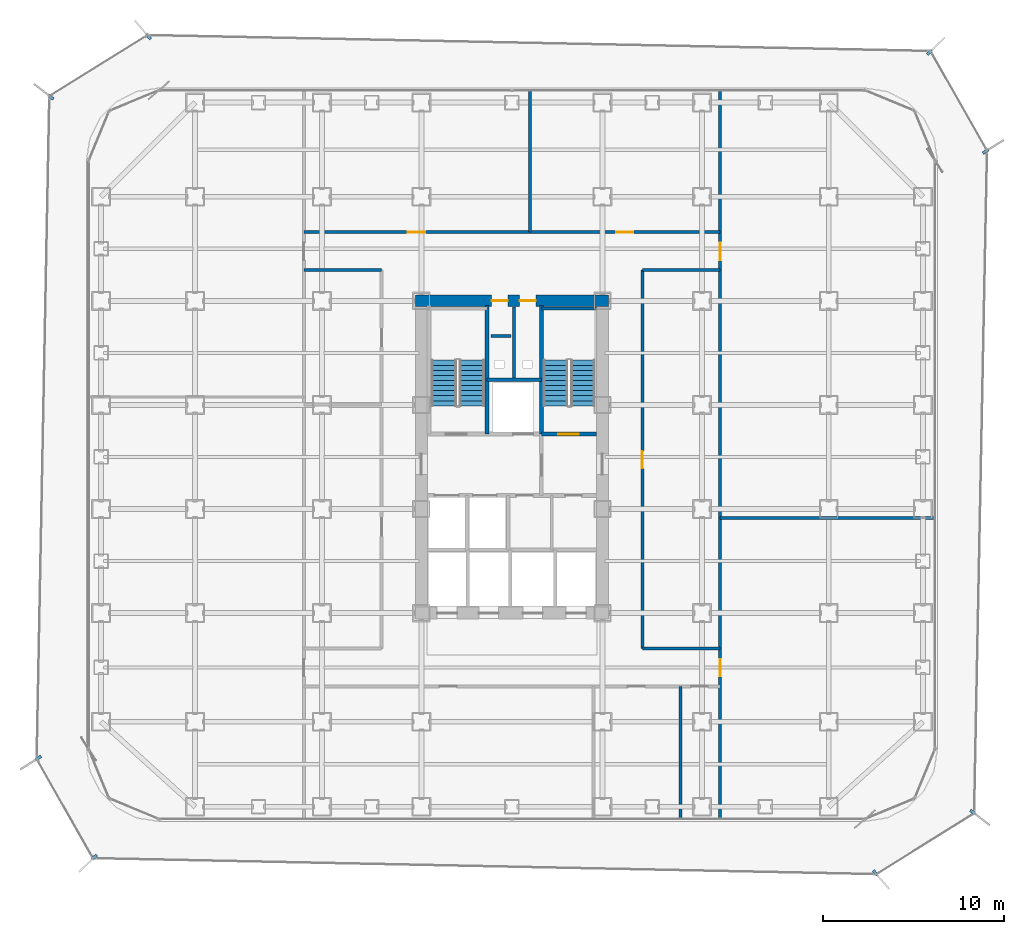
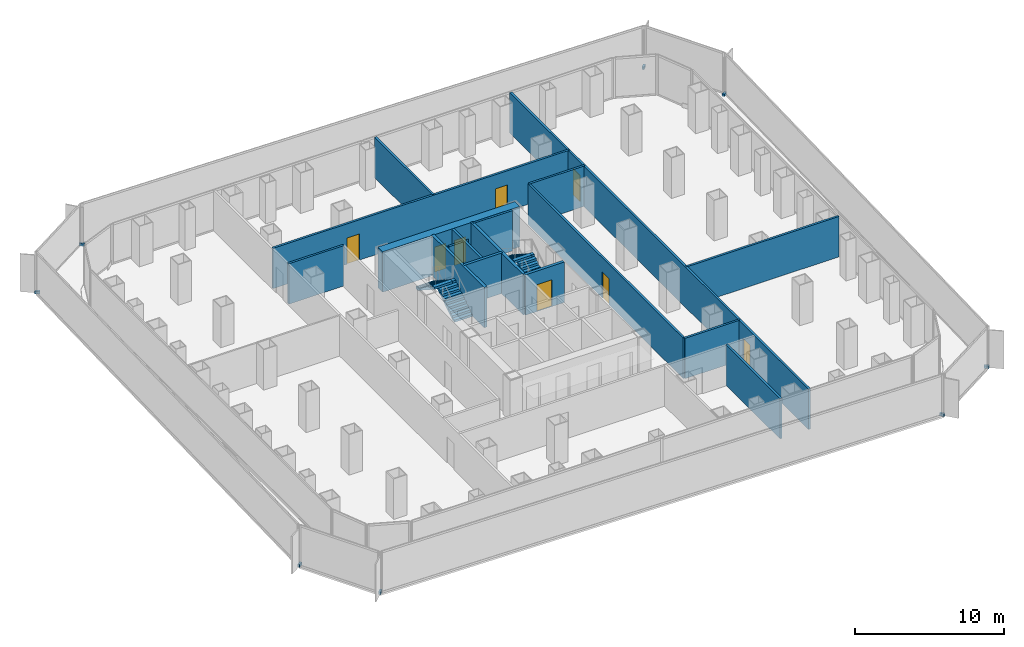
# One storey, part 18 of 21: 17 walls, 8 discrete accessories, 8 doors, 4 stair flights, 8 openings, 2 elements without a shape of their own.
"""IFC4 building model written with IfcOpenShell, lengths in metres."""

from ifc_helpers import new_model, si_unit, direction, frame, frame_2d, origin, origin_2d, place, context, subcontext, project, spatial, polyline, rectangle, outline, extrude, source, transform, mapped, material, layer, layer_set, type_object, element, fill, aggregate, save


model = new_model("IFC4")

# Units and contexts
model_context = context("Model", 3, precision=1e-05, world=origin(), true_north=direction((0.0, 1.0)))
body_context = subcontext(model_context, "Body", "Model", "MODEL_VIEW")
ifc_project = project(units=[si_unit("LENGTHUNIT", "METRE"), si_unit("AREAUNIT", "SQUARE_METRE"), si_unit("VOLUMEUNIT", "CUBIC_METRE"), si_unit("PLANEANGLEUNIT", "RADIAN"), si_unit("MASSUNIT", "GRAM", prefix="KILO")], contexts=[model_context])

# Site, building, storey
site_placement = place(None, origin())
site = spatial("IfcSite", under=ifc_project, at=site_placement, CompositionType="ELEMENT")
building_placement = place(site_placement, origin())
building = spatial("IfcBuilding", under=site, at=building_placement, Name="Kolveth Station Tower", CompositionType="ELEMENT")
storey_placement = place(building_placement, frame((0.0, 0.0, 62.10009765625)))
storey = spatial("IfcBuildingStorey", under=building, at=storey_placement, Name="L16", CompositionType="ELEMENT", Elevation=62.10009765625)

# Wall, openings, doors
ifc_material_1 = material(Name="Concrete C60/75", Category="concrete")
ifc_layer_1 = layer(ifc_material_1, 0.64990234375)
ifc_layer_set_1 = layer_set([ifc_layer_1], Name="Concrete C60/75")
wall_type_1 = type_object("IfcWallType", Name="Wall_CW-650", PredefinedType="SHEAR", material=ifc_layer_set_1)
wall_1_placement = place(storey_placement, frame((18.175048828125, 28.75, 0.0), z_axis=(0.0, 0.0, 1.0), x_axis=(1.0, 0.0, 0.0)))
wall_1 = element("IfcWall", 1, at=wall_1_placement, inside=storey, type_object=wall_type_1, Name="L16 Core RC Shear Wall N", PredefinedType="SHEAR", context=body_context, shape_type="SweptSolid", body=[
    extrude(rectangle(XDim=10.64990234375, YDim=0.64990234375, at=frame_2d((5.324951171875, 0.0))), origin(), (0.0, 0.0, 1.0), 3.31982421875),
])
opening_1_placement = place(wall_1_placement, frame((4.205078125, 0.0, 0.0)))
opening_1 = element("IfcOpeningElement", 2, at=opening_1_placement, cuts=wall_1, Name="Opening RD1", PredefinedType="OPENING", context=body_context, shape_type="SweptSolid", body=[
    extrude(rectangle(XDim=0.89990234375, YDim=2.050048828125, at=frame_2d((0.449951171875, 1.02490234375))), frame((0.0, 0.3349609375, 0.0), z_axis=(0.0, -1.0, 0.0), x_axis=(1.0, 0.0, 0.0)), (0.0, 0.0, 1.0), 0.669921875),
])
opening_2_placement = place(wall_1_placement, frame((5.7451171875, 0.0, 0.0)))
opening_2 = element("IfcOpeningElement", 3, at=opening_2_placement, cuts=wall_1, Name="Opening RD1", PredefinedType="OPENING", context=body_context, shape_type="SweptSolid", body=[
    extrude(rectangle(XDim=0.89990234375, YDim=2.050048828125, at=frame_2d((0.449951171875, 1.02490234375))), frame((0.0, 0.3349609375, 0.0), z_axis=(0.0, -1.0, 0.0), x_axis=(1.0, 0.0, 0.0)), (0.0, 0.0, 1.0), 0.669921875),
])
ifc_material_2 = material(Name="Fire-rated Steel S355 riser access leaf", Category="steel")
door_type_1 = type_object("IfcDoorType", Name="Door_RD1", OperationType="NOTDEFINED", PredefinedType="DOOR", material=ifc_material_2)
door_1_placement = place(opening_1_placement, origin())
door_1 = element("IfcDoor", 4, at=door_1_placement, inside=storey, type_object=door_type_1, Name="L16 Electrical Riser Access Door", OperationType="SINGLE_SWING_LEFT", OverallHeight=2.050048828125, OverallWidth=0.89990234375, PredefinedType="DOOR", context=body_context, shape_type="SweptSolid", body=[
    extrude(rectangle(XDim=0.89990234375, YDim=2.050048828125, at=frame_2d((0.449951171875, 1.02490234375))), frame((0.0, 0.02490234375, 0.0), z_axis=(0.0, -1.0, 0.0), x_axis=(1.0, 0.0, 0.0)), (0.0, 0.0, 1.0), 0.050048828125),
])
fill(opening_1, door_1)
door_2_placement = place(opening_2_placement, origin())
door_2 = element("IfcDoor", 5, at=door_2_placement, inside=storey, type_object=door_type_1, Name="L16 Smoke Duct Access Door", OperationType="SINGLE_SWING_RIGHT", OverallHeight=2.050048828125, OverallWidth=0.89990234375, PredefinedType="DOOR", context=body_context, shape_type="SweptSolid", body=[
    extrude(rectangle(XDim=0.89990234375, YDim=2.050048828125, at=frame_2d((0.449951171875, 1.02490234375))), frame((0.0, 0.02490234375, 0.0), z_axis=(0.0, -1.0, 0.0), x_axis=(1.0, 0.0, 0.0)), (0.0, 0.0, 1.0), 0.050048828125),
])
fill(opening_2, door_2)

# Walls
ifc_material_3 = material(Name="Acoustic double-stud gypsum partition")
ifc_layer_2 = layer(ifc_material_3, 0.1650390625)
ifc_layer_set_2 = layer_set([ifc_layer_2], Name="Acoustic double-stud gypsum partition")
wall_type_2 = type_object("IfcWallType", Name="Wall_IW-165", PredefinedType="PARTITIONING", material=ifc_layer_set_2)
wall_2_placement = place(storey_placement, frame((25.1298828125, 28.3349609375, 0.0), z_axis=(0.0, 0.0, 1.0), x_axis=(1.0, 0.0, 0.0)))
element("IfcWall", 6, at=wall_2_placement, inside=storey, type_object=wall_type_2, Name="L16 Stair Shaft Wall WL-L16-ST2-N", PredefinedType="PARTITIONING", context=body_context, shape_type="SweptSolid", body=[
    extrude(rectangle(XDim=3.03515625, YDim=0.1650390625, at=frame_2d((1.517578125, 0.0))), origin(), (0.0, 0.0, 1.0), 3.31982421875),
])
wall_3_placement = place(storey_placement, frame((23.6201171875, 24.39990234375, 0.0), z_axis=(0.0, 0.0, 1.0), x_axis=(0.0, 1.0, 0.0)))
element("IfcWall", 7, at=wall_3_placement, inside=storey, type_object=wall_type_2, Name="L16 Partition Wall WL-L16-RSR-M", PredefinedType="PARTITIONING", context=body_context, shape_type="SweptSolid", body=[
    extrude(rectangle(XDim=4.01513671875, YDim=0.1650390625, at=frame_2d((2.007568359375, 0.0))), origin(), (0.0, 0.0, 1.0), 3.31982421875),
])

# Wall, openings, doors
wall_4_placement = place(storey_placement, frame((12.0, 32.550048828125, 0.0), z_axis=(0.0, 0.0, 1.0), x_axis=(1.0, 0.0, 0.0)))
wall_4 = element("IfcWall", 8, at=wall_4_placement, inside=storey, type_object=wall_type_2, Name="L16 Partition Wall WL-L16-ON", PredefinedType="PARTITIONING", context=body_context, shape_type="SweptSolid", body=[
    extrude(rectangle(XDim=23.0, YDim=0.1650390625, at=frame_2d((11.5, 0.0))), origin(), (0.0, 0.0, 1.0), 3.31982421875),
])
opening_3_placement = place(wall_4_placement, frame((5.75, 0.0, 0.0)))
opening_3 = element("IfcOpeningElement", 9, at=opening_3_placement, cuts=wall_4, Name="Opening ID1", PredefinedType="OPENING", context=body_context, shape_type="SweptSolid", body=[
    extrude(rectangle(XDim=0.949951171875, YDim=2.14990234375, at=frame_2d((0.47509765625, 1.074951171875))), frame((0.0, 0.092529296875, 0.0), z_axis=(0.0, -1.0, 0.0), x_axis=(1.0, 0.0, 0.0)), (0.0, 0.0, 1.0), 0.18505859375),
])
opening_4_placement = place(wall_4_placement, frame((17.25, 0.0, 0.0)))
opening_4 = element("IfcOpeningElement", 10, at=opening_4_placement, cuts=wall_4, Name="Opening ID1", PredefinedType="OPENING", context=body_context, shape_type="SweptSolid", body=[
    extrude(rectangle(XDim=0.949951171875, YDim=2.14990234375, at=frame_2d((0.47509765625, 1.074951171875))), frame((0.0, 0.092529296875, 0.0), z_axis=(0.0, -1.0, 0.0), x_axis=(1.0, 0.0, 0.0)), (0.0, 0.0, 1.0), 0.18505859375),
])
ifc_material_4 = material(Name="Acoustic hardwood leaf and aluminium frame", Category="wood")
door_type_2 = type_object("IfcDoorType", Name="Door_ID1", OperationType="NOTDEFINED", PredefinedType="DOOR", material=ifc_material_4)
door_3_placement = place(opening_3_placement, origin())
door_3 = element("IfcDoor", 11, at=door_3_placement, inside=storey, type_object=door_type_2, Name="L16 Staff Lounge and Townhall Door", OperationType="SINGLE_SWING_RIGHT", OverallHeight=2.14990234375, OverallWidth=0.949951171875, PredefinedType="DOOR", context=body_context, shape_type="SweptSolid", body=[
    extrude(rectangle(XDim=0.949951171875, YDim=2.14990234375, at=frame_2d((0.47509765625, 1.074951171875))), frame((0.0, 0.02490234375, 0.0), z_axis=(0.0, -1.0, 0.0), x_axis=(1.0, 0.0, 0.0)), (0.0, 0.0, 1.0), 0.050048828125),
])
fill(opening_3, door_3)
door_4_placement = place(opening_4_placement, origin())
door_4 = element("IfcDoor", 12, at=door_4_placement, inside=storey, type_object=door_type_2, Name="L16 Catering Pantry Door", OperationType="SINGLE_SWING_LEFT", OverallHeight=2.14990234375, OverallWidth=0.949951171875, PredefinedType="DOOR", context=body_context, shape_type="SweptSolid", body=[
    extrude(rectangle(XDim=0.949951171875, YDim=2.14990234375, at=frame_2d((0.47509765625, 1.074951171875))), frame((0.0, 0.02490234375, 0.0), z_axis=(0.0, -1.0, 0.0), x_axis=(1.0, 0.0, 0.0)), (0.0, 0.0, 1.0), 0.050048828125),
])
fill(opening_4, door_4)

# Walls
for number, where, z_axis, x_axis, name in (
    (13, (30.699951171875, 9.550048828125, 0.0), (0.0, 0.0, 1.0), (1.0, 0.0, 0.0), "L16 Partition Wall WL-L16-OSET"),
    (14, (12.0, 30.449951171875, 0.0), (0.0, 0.0, 1.0), (1.0, 0.0, 0.0), "L16 Partition Wall WL-L16-ONWB"),
    (15, (30.699951171875, 30.449951171875, 0.0), (0.0, 0.0, 1.0), (1.0, 0.0, 0.0), "L16 Partition Wall WL-L16-ONEB"),
):
    element("IfcWall", number, at=place(storey_placement, frame(where, z_axis=z_axis, x_axis=x_axis)), inside=storey, type_object=wall_type_2, Name=name, PredefinedType="PARTITIONING", context=body_context, shape_type="SweptSolid", body=[
        extrude(rectangle(XDim=4.300048828125, YDim=0.1650390625, at=frame_2d((2.14990234375, 0.0))), origin(), (0.0, 0.0, 1.0), 3.31982421875),
    ])

# Wall, opening, door
wall_5_placement = place(storey_placement, frame((30.699951171875, 9.550048828125, 0.0), z_axis=(0.0, 0.0, 1.0), x_axis=(0.0, 1.0, 0.0)))
wall_5 = element("IfcWall", 16, at=wall_5_placement, inside=storey, type_object=wall_type_2, Name="L16 Partition Wall WL-L16-OCE", PredefinedType="PARTITIONING", context=body_context, shape_type="SweptSolid", body=[
    extrude(rectangle(XDim=20.89990234375, YDim=0.1650390625, at=frame_2d((10.449951171875, 0.0))), origin(), (0.0, 0.0, 1.0), 3.31982421875),
])
opening_5_placement = place(wall_5_placement, frame((9.949951171875, 0.0, 0.0)))
opening_5 = element("IfcOpeningElement", 17, at=opening_5_placement, cuts=wall_5, Name="Opening ID1", PredefinedType="OPENING", context=body_context, shape_type="SweptSolid", body=[
    extrude(rectangle(XDim=0.949951171875, YDim=2.14990234375, at=frame_2d((0.47509765625, 1.074951171875))), frame((0.0, 0.092529296875, 0.0), z_axis=(0.0, -1.0, 0.0), x_axis=(1.0, 0.0, 0.0)), (0.0, 0.0, 1.0), 0.18505859375),
])
door_5_placement = place(opening_5_placement, origin())
door_5 = element("IfcDoor", 18, at=door_5_placement, inside=storey, type_object=door_type_2, Name="L16 Internal Meeting Room E1 Door", OperationType="SINGLE_SWING_LEFT", OverallHeight=2.14990234375, OverallWidth=0.949951171875, PredefinedType="DOOR", context=body_context, shape_type="SweptSolid", body=[
    extrude(rectangle(XDim=0.949951171875, YDim=2.14990234375, at=frame_2d((0.47509765625, 1.074951171875))), frame((0.0, 0.02490234375, 0.0), z_axis=(0.0, -1.0, 0.0), x_axis=(1.0, 0.0, 0.0)), (0.0, 0.0, 1.0), 0.050048828125),
])
fill(opening_5, door_5)

# Wall, openings, doors
wall_6_placement = place(storey_placement, frame((35.0, 0.159912109375, 0.0), z_axis=(0.0, 0.0, 1.0), x_axis=(0.0, 1.0, 0.0)))
wall_6 = element("IfcWall", 19, at=wall_6_placement, inside=storey, type_object=wall_type_2, Name="L16 Partition Wall WL-L16-OEEND", PredefinedType="PARTITIONING", context=body_context, shape_type="SweptSolid", body=[
    extrude(rectangle(XDim=40.18017578125, YDim=0.1650390625, at=frame_2d((20.090087890625, 0.0))), origin(), (0.0, 0.0, 1.0), 3.31982421875),
])
opening_6_placement = place(wall_6_placement, frame((7.840087890625, 0.0, 0.0)))
opening_6 = element("IfcOpeningElement", 20, at=opening_6_placement, cuts=wall_6, Name="Opening ID1", PredefinedType="OPENING", context=body_context, shape_type="SweptSolid", body=[
    extrude(rectangle(XDim=0.949951171875, YDim=2.14990234375, at=frame_2d((0.47509765625, 1.074951171875))), frame((0.0, 0.092529296875, 0.0), z_axis=(0.0, -1.0, 0.0), x_axis=(1.0, 0.0, 0.0)), (0.0, 0.0, 1.0), 0.18505859375),
])
opening_7_placement = place(wall_6_placement, frame((30.840087890625, 0.0, 0.0)))
opening_7 = element("IfcOpeningElement", 21, at=opening_7_placement, cuts=wall_6, Name="Opening ID1", PredefinedType="OPENING", context=body_context, shape_type="SweptSolid", body=[
    extrude(rectangle(XDim=0.949951171875, YDim=2.14990234375, at=frame_2d((0.47509765625, 1.074951171875))), frame((0.0, 0.092529296875, 0.0), z_axis=(0.0, -1.0, 0.0), x_axis=(1.0, 0.0, 0.0)), (0.0, 0.0, 1.0), 0.18505859375),
])
door_6_placement = place(opening_6_placement, origin())
door_6 = element("IfcDoor", 22, at=door_6_placement, inside=storey, type_object=door_type_2, Name="L16 East-South Wing Door", OperationType="SINGLE_SWING_RIGHT", OverallHeight=2.14990234375, OverallWidth=0.949951171875, PredefinedType="DOOR", context=body_context, shape_type="SweptSolid", body=[
    extrude(rectangle(XDim=0.949951171875, YDim=2.14990234375, at=frame_2d((0.47509765625, 1.074951171875))), frame((0.0, 0.02490234375, 0.0), z_axis=(0.0, -1.0, 0.0), x_axis=(1.0, 0.0, 0.0)), (0.0, 0.0, 1.0), 0.050048828125),
])
fill(opening_6, door_6)
door_7_placement = place(opening_7_placement, origin())
door_7 = element("IfcDoor", 23, at=door_7_placement, inside=storey, type_object=door_type_2, Name="L16 East-North Wing Door", OperationType="SINGLE_SWING_LEFT", OverallHeight=2.14990234375, OverallWidth=0.949951171875, PredefinedType="DOOR", context=body_context, shape_type="SweptSolid", body=[
    extrude(rectangle(XDim=0.949951171875, YDim=2.14990234375, at=frame_2d((0.47509765625, 1.074951171875))), frame((0.0, 0.02490234375, 0.0), z_axis=(0.0, -1.0, 0.0), x_axis=(1.0, 0.0, 0.0)), (0.0, 0.0, 1.0), 0.050048828125),
])
fill(opening_7, door_7)

# Walls
wall_7_placement = place(storey_placement, frame((32.800048828125, 0.159912109375, 0.0), z_axis=(0.0, 0.0, 1.0), x_axis=(0.0, 1.0, 0.0)))
element("IfcWall", 24, at=wall_7_placement, inside=storey, type_object=wall_type_2, Name="L16 Partition Wall WL-L16-OS-P2", PredefinedType="PARTITIONING", context=body_context, shape_type="SweptSolid", body=[
    extrude(rectangle(XDim=7.2900390625, YDim=0.1650390625, at=frame_2d((3.64501953125, 0.0))), origin(), (0.0, 0.0, 1.0), 3.31982421875),
])
wall_8_placement = place(storey_placement, frame((24.5, 32.550048828125, 0.0), z_axis=(0.0, 0.0, 1.0), x_axis=(0.0, 1.0, 0.0)))
element("IfcWall", 25, at=wall_8_placement, inside=storey, type_object=wall_type_2, Name="L16 Partition Wall WL-L16-ON-P1", PredefinedType="PARTITIONING", context=body_context, shape_type="SweptSolid", body=[
    extrude(rectangle(XDim=7.7900390625, YDim=0.1650390625, at=frame_2d((3.89501953125, 0.0))), origin(), (0.0, 0.0, 1.0), 3.31982421875),
])
wall_9_placement = place(storey_placement, frame((35.0, 16.75, 0.0), z_axis=(0.0, 0.0, 1.0), x_axis=(1.0, 0.0, 0.0)))
element("IfcWall", 26, at=wall_9_placement, inside=storey, type_object=wall_type_2, Name="L16 Partition Wall WL-L16-OEM", PredefinedType="PARTITIONING", context=body_context, shape_type="SweptSolid", body=[
    extrude(rectangle(XDim=11.840087890625, YDim=0.1650390625, at=frame_2d((5.919921875, 0.0))), origin(), (0.0, 0.0, 1.0), 3.31982421875),
])
wall_10_placement = place(storey_placement, frame((22.35009765625, 26.800048828125, 0.0), z_axis=(0.0, 0.0, 1.0), x_axis=(1.0, 0.0, 0.0)))
element("IfcWall", 27, at=wall_10_placement, inside=storey, type_object=wall_type_2, Name="L16 Acoustic Riser Dry-Lining Wall", PredefinedType="PARTITIONING", context=body_context, shape_type="SweptSolid", body=[
    extrude(rectangle(XDim=1.099853515625, YDim=0.1650390625, at=frame_2d((0.5498046875, 0.0))), origin(), (0.0, 0.0, 1.0), 3.31982421875),
])
ifc_material_5 = material(Name="Acoustic fire-rated gypsum blockwork", Category="masonry")
ifc_layer_3 = layer(ifc_material_5, 0.199951171875)
ifc_layer_set_3 = layer_set([ifc_layer_3], Name="Acoustic fire-rated gypsum blockwork")
wall_type_3 = type_object("IfcWallType", Name="Wall_IW-200", PredefinedType="PARTITIONING", material=ifc_layer_set_3)
wall_11_placement = place(storey_placement, frame((22.110107421875, 24.39990234375, 0.0), z_axis=(0.0, 0.0, 1.0), x_axis=(1.0, 0.0, 0.0)))
element("IfcWall", 28, at=wall_11_placement, inside=storey, type_object=wall_type_3, Name="L16 Partition Wall WL-L16-RSR-S", PredefinedType="PARTITIONING", context=body_context, shape_type="SweptSolid", body=[
    extrude(rectangle(XDim=3.019775390625, YDim=0.199951171875, at=frame_2d((1.509765625, 0.0))), origin(), (0.0, 0.0, 1.0), 3.31982421875),
])
ifc_material_6 = material(Name="Concrete C40/50", Category="concrete")
ifc_layer_4 = layer(ifc_material_6, 0.219970703125)
ifc_layer_set_4 = layer_set([ifc_layer_4], Name="Concrete C40/50")
wall_type_4 = type_object("IfcWallType", Name="Wall_IW-220", PredefinedType="SOLIDWALL", material=ifc_layer_set_4)
for number, where, z_axis, x_axis, name in (
    (29, (22.110107421875, 21.389892578125, 0.0), (0.0, 0.0, 1.0), (0.0, 1.0, 0.0), "L16 Stair Shaft Wall WL-L16-ST1-E"),
    (30, (25.1298828125, 21.389892578125, 0.0), (0.0, 0.0, 1.0), (0.0, 1.0, 0.0), "L16 Stair Shaft Wall WL-L16-ST2-W"),
):
    element("IfcWall", number, at=place(storey_placement, frame(where, z_axis=z_axis, x_axis=x_axis)), inside=storey, type_object=wall_type_4, Name=name, PredefinedType="SOLIDWALL", context=body_context, shape_type="SweptSolid", body=[
        extrude(rectangle(XDim=7.110107421875, YDim=0.219970703125, at=frame_2d((3.55517578125, 0.0))), origin(), (0.0, 0.0, 1.0), 3.31982421875),
    ])

# Wall, opening, door
wall_12_placement = place(storey_placement, frame((25.1298828125, 21.389892578125, 0.0), z_axis=(0.0, 0.0, 1.0), x_axis=(1.0, 0.0, 0.0)))
wall_12 = element("IfcWall", 31, at=wall_12_placement, inside=storey, type_object=wall_type_4, Name="L16 Stair Shaft Wall WL-L16-ST2-S", PredefinedType="SOLIDWALL", context=body_context, shape_type="SweptSolid", body=[
    extrude(rectangle(XDim=3.03515625, YDim=0.219970703125, at=frame_2d((1.517578125, 0.0))), origin(), (0.0, 0.0, 1.0), 3.31982421875),
])
opening_8_placement = place(wall_12_placement, frame((0.919921875, 0.0, 0.0)))
opening_8 = element("IfcOpeningElement", 32, at=opening_8_placement, cuts=wall_12, Name="Opening FD1", PredefinedType="OPENING", context=body_context, shape_type="SweptSolid", body=[
    extrude(rectangle(XDim=1.14990234375, YDim=2.199951171875, at=frame_2d((0.574951171875, 1.10009765625))), frame((0.0, 0.119873046875, 0.0), z_axis=(0.0, -1.0, 0.0), x_axis=(1.0, 0.0, 0.0)), (0.0, 0.0, 1.0), 0.239990234375),
])
ifc_material_7 = material(Name="Fire-rated Steel S355 leaf and frame", Category="steel")
door_type_3 = type_object("IfcDoorType", Name="Door_FD1", OperationType="NOTDEFINED", PredefinedType="DOOR", material=ifc_material_7)
door_8_placement = place(opening_8_placement, frame((1.14990234375, 0.0, 0.0), z_axis=(0.0, 0.0, 1.0), x_axis=(-1.0, 0.0, 0.0)))
door_8 = element("IfcDoor", 33, at=door_8_placement, inside=storey, type_object=door_type_3, Name="L16 Stair ST2 Fire Door", OperationType="SINGLE_SWING_LEFT", OverallHeight=2.199951171875, OverallWidth=1.14990234375, PredefinedType="DOOR", context=body_context, shape_type="SweptSolid", body=[
    extrude(rectangle(XDim=1.14990234375, YDim=2.199951171875, at=frame_2d((0.574951171875, 1.10009765625))), frame((0.0, 0.02490234375, 0.0), z_axis=(0.0, -1.0, 0.0), x_axis=(1.0, 0.0, 0.0)), (0.0, 0.0, 1.0), 0.050048828125),
])
fill(opening_8, door_8)

# Stair, stair flights
stair_type_1 = type_object("IfcStairType", Name="Stair_ST1", PredefinedType="HALF_TURN_STAIR", material=ifc_material_6)
stair_1_placement = place(storey_placement, origin())
stair_1 = element("IfcStair", 34, at=stair_1_placement, inside=storey, type_object=stair_type_1, Name="L16 Tower Exit Stair ST1", PredefinedType="HALF_TURN_STAIR")
ifc_layer_5 = layer(ifc_material_6, 0.179931640625)
ifc_layer_set_5 = layer_set([ifc_layer_5], Name="Concrete C40/50")
stair_flight_type_1 = type_object("IfcStairFlightType", Name="Flight_ST1", PredefinedType="STRAIGHT", material=ifc_layer_set_5)
stair_flight_1_placement = place(storey_placement, frame((21.300048828125, 22.949951171875, 0.0), z_axis=(0.0, 0.0, 1.0), x_axis=(0.0, 1.0, 0.0)))
stair_flight_1 = element("IfcStairFlight", 35, at=stair_flight_1_placement, type_object=stair_flight_type_1, Name="ST1 flight 1", NumberOfRisers=10, NumberOfTreads=9, PredefinedType="STRAIGHT", RiserHeight=0.18, TreadLength=0.28, context=body_context, shape_type="SweptSolid", body=[
    extrude(outline(polyline([(0.0, 0.0), (0.0, 0.179931640625), (0.280029296875, 0.179931640625), (0.280029296875, 0.360107421875), (0.56005859375, 0.360107421875), (0.56005859375, 0.5400390625), (0.840087890625, 0.5400390625), (0.840087890625, 0.719970703125), (1.1201171875, 0.719970703125), (1.1201171875, 0.89990234375), (1.39990234375, 0.89990234375), (1.39990234375, 1.080078125), (1.679931640625, 1.080078125), (1.679931640625, 1.260009765625), (1.9599609375, 1.260009765625), (1.9599609375, 1.43994140625), (2.239990234375, 1.43994140625), (2.239990234375, 1.6201171875), (2.52001953125, 1.6201171875), (2.52001953125, 1.800048828125), (2.52001953125, 1.44189453125), (0.277099609375, 0.0), (0.0, 0.0)])), frame((0.0, 0.699951171875, 0.0), z_axis=(0.0, -1.0, 0.0), x_axis=(1.0, 0.0, 0.0)), (0.0, 0.0, 1.0), 1.39990234375),
])
stair_flight_2_placement = place(storey_placement, frame((19.739990234375, 25.469970703125, 1.7998046875), z_axis=(0.0, 0.0, 1.0), x_axis=(0.0, -1.0, 0.0)))
stair_flight_2 = element("IfcStairFlight", 36, at=stair_flight_2_placement, type_object=stair_flight_type_1, Name="ST1 flight 2", NumberOfRisers=10, NumberOfTreads=9, PredefinedType="STRAIGHT", RiserHeight=0.18, TreadLength=0.28, context=body_context, shape_type="SweptSolid", body=[
    extrude(outline(polyline([(0.0, 0.0), (0.0, 0.179931640625), (0.280029296875, 0.179931640625), (0.280029296875, 0.360107421875), (0.56005859375, 0.360107421875), (0.56005859375, 0.5400390625), (0.840087890625, 0.5400390625), (0.840087890625, 0.719970703125), (1.1201171875, 0.719970703125), (1.1201171875, 0.89990234375), (1.39990234375, 0.89990234375), (1.39990234375, 1.080078125), (1.679931640625, 1.080078125), (1.679931640625, 1.260009765625), (1.9599609375, 1.260009765625), (1.9599609375, 1.43994140625), (2.239990234375, 1.43994140625), (2.239990234375, 1.6201171875), (2.52001953125, 1.6201171875), (2.52001953125, 1.800048828125), (2.52001953125, 1.44189453125), (0.277099609375, 0.0), (0.0, 0.0)])), frame((0.0, 0.699951171875, 0.0), z_axis=(0.0, -1.0, 0.0), x_axis=(1.0, 0.0, 0.0)), (0.0, 0.0, 1.0), 1.39990234375),
])
aggregate(stair_1, [stair_flight_1, stair_flight_2])

stair_type_2 = type_object("IfcStairType", Name="Stair_ST2", PredefinedType="HALF_TURN_STAIR", material=ifc_material_6)
stair_2_placement = place(storey_placement, origin())
stair_2 = element("IfcStair", 37, at=stair_2_placement, inside=storey, type_object=stair_type_2, Name="L16 Tower Exit Stair ST2", PredefinedType="HALF_TURN_STAIR")
ifc_layer_6 = layer(ifc_material_6, 0.179931640625)
ifc_layer_set_6 = layer_set([ifc_layer_6], Name="Concrete C40/50")
stair_flight_type_2 = type_object("IfcStairFlightType", Name="Flight_ST2", PredefinedType="STRAIGHT", material=ifc_layer_set_6)
stair_flight_3_placement = place(storey_placement, frame((27.425048828125, 22.949951171875, 0.0), z_axis=(0.0, 0.0, 1.0), x_axis=(0.0, 1.0, 0.0)))
stair_flight_3 = element("IfcStairFlight", 38, at=stair_flight_3_placement, type_object=stair_flight_type_2, Name="ST2 flight 1", NumberOfRisers=10, NumberOfTreads=9, PredefinedType="STRAIGHT", RiserHeight=0.18, TreadLength=0.28, context=body_context, shape_type="SweptSolid", body=[
    extrude(outline(polyline([(0.0, 0.0), (0.0, 0.179931640625), (0.280029296875, 0.179931640625), (0.280029296875, 0.360107421875), (0.56005859375, 0.360107421875), (0.56005859375, 0.5400390625), (0.840087890625, 0.5400390625), (0.840087890625, 0.719970703125), (1.1201171875, 0.719970703125), (1.1201171875, 0.89990234375), (1.39990234375, 0.89990234375), (1.39990234375, 1.080078125), (1.679931640625, 1.080078125), (1.679931640625, 1.260009765625), (1.9599609375, 1.260009765625), (1.9599609375, 1.43994140625), (2.239990234375, 1.43994140625), (2.239990234375, 1.6201171875), (2.52001953125, 1.6201171875), (2.52001953125, 1.800048828125), (2.52001953125, 1.44189453125), (0.277099609375, 0.0), (0.0, 0.0)])), frame((0.0, 0.675048828125, 0.0), z_axis=(0.0, -1.0, 0.0), x_axis=(1.0, 0.0, 0.0)), (0.0, 0.0, 1.0), 1.35009765625),
])
stair_flight_4_placement = place(storey_placement, frame((25.9150390625, 25.469970703125, 1.7998046875), z_axis=(0.0, 0.0, 1.0), x_axis=(0.0, -1.0, 0.0)))
stair_flight_4 = element("IfcStairFlight", 39, at=stair_flight_4_placement, type_object=stair_flight_type_2, Name="ST2 flight 2", NumberOfRisers=10, NumberOfTreads=9, PredefinedType="STRAIGHT", RiserHeight=0.18, TreadLength=0.28, context=body_context, shape_type="SweptSolid", body=[
    extrude(outline(polyline([(0.0, 0.0), (0.0, 0.179931640625), (0.280029296875, 0.179931640625), (0.280029296875, 0.360107421875), (0.56005859375, 0.360107421875), (0.56005859375, 0.5400390625), (0.840087890625, 0.5400390625), (0.840087890625, 0.719970703125), (1.1201171875, 0.719970703125), (1.1201171875, 0.89990234375), (1.39990234375, 0.89990234375), (1.39990234375, 1.080078125), (1.679931640625, 1.080078125), (1.679931640625, 1.260009765625), (1.9599609375, 1.260009765625), (1.9599609375, 1.43994140625), (2.239990234375, 1.43994140625), (2.239990234375, 1.6201171875), (2.52001953125, 1.6201171875), (2.52001953125, 1.800048828125), (2.52001953125, 1.44189453125), (0.277099609375, 0.0), (0.0, 0.0)])), frame((0.0, 0.675048828125, 0.0), z_axis=(0.0, -1.0, 0.0), x_axis=(1.0, 0.0, 0.0)), (0.0, 0.0, 1.0), 1.35009765625),
])
aggregate(stair_2, [stair_flight_3, stair_flight_4])

# Discrete accessories
ifc_material_8 = material(Name="Steel S355", Category="steel")
discrete_accessory_type = type_object("IfcDiscreteAccessoryType", Name="Bracket_BK1", PredefinedType="BRACKET", material=ifc_material_8)
shared_shape = source(origin(), body_context, "Body", "SweptSolid", [
    extrude(rectangle(XDim=0.35009765625, YDim=0.159912109375, at=origin_2d()), origin(), (0.0, 0.0, 1.0), 0.219970703125),
])
for number, where, z_axis, x_axis, name in (
    (40, (43.570068359375, -2.85107421875, -0.06005859375), (0.0, 0.0, 1.0), (0.655795545685, -0.754938542041, 0.0), "L16 Double-Skin Radial Tie Bracket 1"),
    (41, (48.9619140625, 0.5029296875, -0.06005859375), (0.0, 0.0, 1.0), (0.790155012376, -0.612907053653, 0.0), "L16 Double-Skin Radial Tie Bracket 2"),
    (42, (49.6689453125, 37.0009765625, -0.06005859375), (0.0, 0.0, 1.0), (0.842264279204, 0.539064823539, 0.0), "L16 Double-Skin Radial Tie Bracket 3"),
    (43, (46.56201171875, 42.47607421875, -0.06005859375), (0.0, 0.0, 1.0), (0.720066850328, 0.69390469883, 0.0), "L16 Double-Skin Radial Tie Bracket 4"),
    (44, (3.429931640625, 43.34912109375, -0.06005859375), (0.0, 0.0, 1.0), (-0.655927297328, 0.754824072629, 0.0), "L16 Double-Skin Radial Tie Bracket 5"),
    (45, (-1.967041015625, 40.0, -0.06005859375), (0.0, 0.0, 1.0), (-0.790261972801, 0.612769136253, 0.0), "L16 Double-Skin Radial Tie Bracket 6"),
    (46, (-2.662109375, 3.5, -0.06005859375), (0.0, 0.0, 1.0), (-0.842170181815, -0.539211818177, 0.0), "L16 Double-Skin Radial Tie Bracket 7"),
    (47, (0.43798828125, -1.97607421875, -0.06005859375), (0.0, 0.0, 1.0), (-0.720066850328, -0.69390469883, 0.0), "L16 Double-Skin Radial Tie Bracket 8"),
):
    element("IfcDiscreteAccessory", number, at=place(storey_placement, frame(where, z_axis=z_axis, x_axis=x_axis)), inside=storey, type_object=discrete_accessory_type, Name=name, PredefinedType="BRACKET", context=body_context, shape_type="MappedRepresentation", body=[
        mapped(shared_shape, transform((0.0, 0.0, 0.0), x_axis=(1.0, 0.0, 0.0), y_axis=(0.0, 1.0, 0.0), z_axis=(0.0, 0.0, 1.0), scale=1.0)),
    ])

save(model, "model.ifc")
